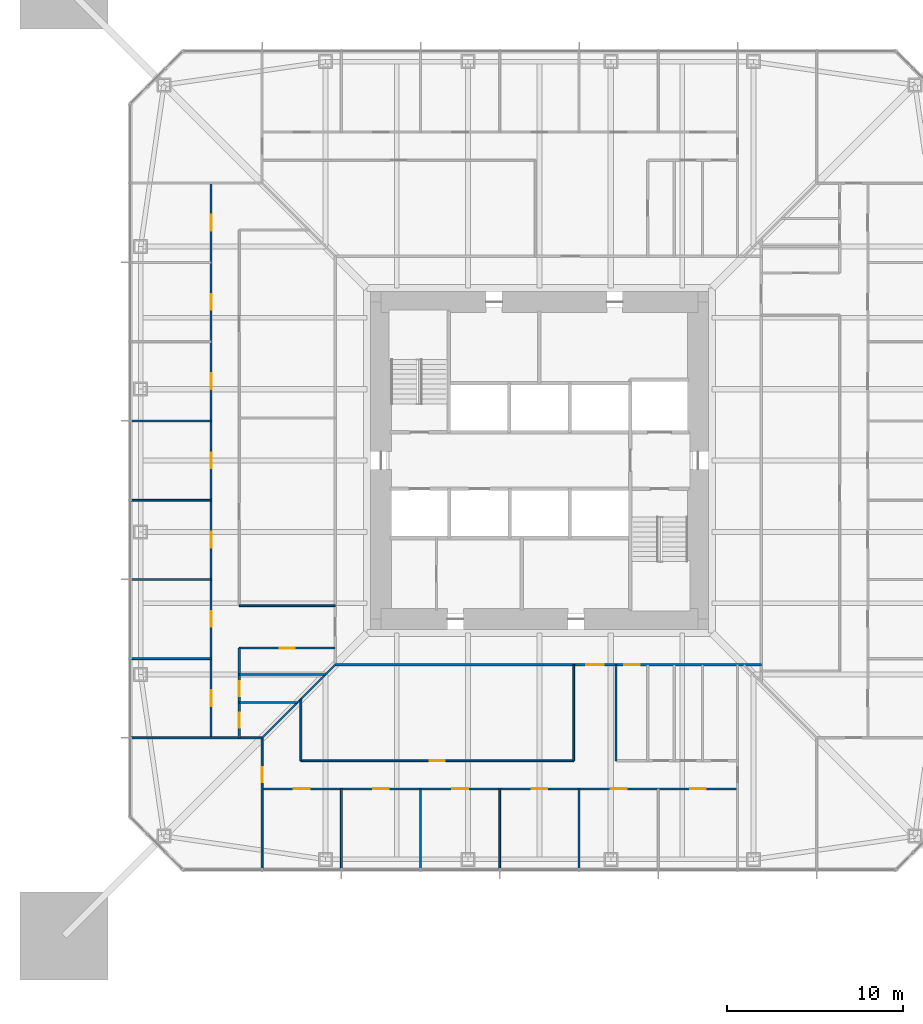
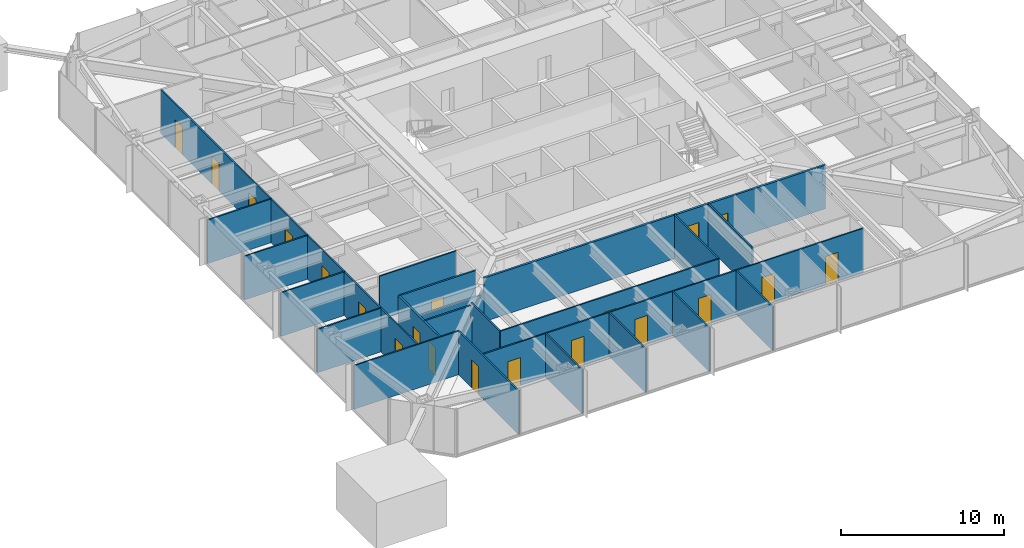
# One storey, part 14 of 26: 23 walls, 20 doors, 20 openings.
"""IFC4 building model written with IfcOpenShell, lengths in metres."""

from ifc_helpers import new_model, si_unit, direction, frame, frame_2d, origin, place, context, subcontext, project, spatial, rectangle, extrude, material, layer, layer_set, type_object, element, fill, save


model = new_model("IFC4")

# Units and contexts
model_context = context("Model", 3, precision=1e-05, world=origin(), true_north=direction((0.0, 1.0)))
body_context = subcontext(model_context, "Body", "Model", "MODEL_VIEW")
ifc_project = project(units=[si_unit("LENGTHUNIT", "METRE"), si_unit("AREAUNIT", "SQUARE_METRE"), si_unit("VOLUMEUNIT", "CUBIC_METRE"), si_unit("PLANEANGLEUNIT", "RADIAN"), si_unit("MASSUNIT", "GRAM", prefix="KILO")], contexts=[model_context])

# Site, building, storey
site_placement = place(None, origin())
site = spatial("IfcSite", under=ifc_project, at=site_placement, CompositionType="ELEMENT")
building_placement = place(site_placement, origin())
building = spatial("IfcBuilding", under=site, at=building_placement, Name="Iwan Alto Co-Living Towers", CompositionType="ELEMENT")
storey_placement = place(building_placement, frame((0.0, 0.0, 32.5)))
storey = spatial("IfcBuildingStorey", under=building, at=storey_placement, Name="L08", CompositionType="ELEMENT", Elevation=32.5)

# Wall, openings, doors
ifc_material_1 = material(Name="Gypsum board")
ifc_layer_1 = layer(ifc_material_1, 0.02490234375, Name="Board", Category="Finish")
ifc_material_2 = material(Name="Steel ASTM A1003 ST33H cold-formed studs", Category="steel")
ifc_layer_2 = layer(ifc_material_2, 0.10009765625, Name="Studs", Category="Framing")
ifc_layer_3 = layer(ifc_material_1, 0.02490234375, Name="Board", Category="Finish")
ifc_layer_set_1 = layer_set([ifc_layer_1, ifc_layer_2, ifc_layer_3], Name="CORRIDOR WALL 150")
wall_type_1 = type_object("IfcWallType", Name="CORRIDOR WALL 150", PredefinedType="PARTITIONING", material=ifc_layer_set_1)
wall_1_placement = place(storey_placement, frame((-11.60009765625, -11.60009765625, 0.0), z_axis=(0.0, 0.0, 1.0), x_axis=(1.0, 0.0, 0.0)))
wall_1 = element("IfcWall", 1, at=wall_1_placement, inside=storey, type_object=wall_type_1, Name="Partition L08", PredefinedType="PARTITIONING", context=body_context, shape_type="SweptSolid", body=[
    extrude(rectangle(XDim=24.2001953125, YDim=0.14990234375, at=frame_2d((12.10009765625, 0.0))), origin(), (0.0, 0.0, 1.0), 3.27001953125),
])
opening_1_placement = place(wall_1_placement, frame((14.25, 0.0, 0.0)))
opening_1 = element("IfcOpeningElement", 2, at=opening_1_placement, cuts=wall_1, Name="Opening D3", PredefinedType="OPENING", context=body_context, shape_type="SweptSolid", body=[
    extrude(rectangle(XDim=1.0, YDim=2.10009765625, at=frame_2d((0.5, 1.050048828125))), frame((0.0, 0.0849609375, 0.0), z_axis=(0.0, -1.0, 0.0), x_axis=(1.0, 0.0, 0.0)), (0.0, 0.0, 1.0), 0.169921875),
])
opening_2_placement = place(wall_1_placement, frame((16.39990234375, 0.0, 0.0)))
opening_2 = element("IfcOpeningElement", 3, at=opening_2_placement, cuts=wall_1, Name="Opening D8", PredefinedType="OPENING", context=body_context, shape_type="SweptSolid", body=[
    extrude(rectangle(XDim=0.89990234375, YDim=2.10009765625, at=frame_2d((0.449951171875, 1.050048828125))), frame((0.0, 0.0849609375, 0.0), z_axis=(0.0, -1.0, 0.0), x_axis=(1.0, 0.0, 0.0)), (0.0, 0.0, 1.0), 0.169921875),
])
ifc_material_3 = material(Name="Steel frame with timber leaf", Category="steel")
door_type_1 = type_object("IfcDoorType", Name="FLAT ENTRANCE DOOR FD30S 1000X2100", OperationType="SINGLE_SWING_LEFT", PredefinedType="DOOR", material=ifc_material_3)
door_1_placement = place(opening_1_placement, frame((1.0, 0.0, 0.0), z_axis=(0.0, 0.0, 1.0), x_axis=(-1.0, 0.0, 0.0)))
door_1 = element("IfcDoor", 4, at=door_1_placement, inside=storey, type_object=door_type_1, Name="Cluster lounge door L08", OperationType="SINGLE_SWING_RIGHT", OverallHeight=2.10009765625, OverallWidth=1.0, PredefinedType="DOOR", context=body_context, shape_type="SweptSolid", body=[
    extrude(rectangle(XDim=1.0, YDim=2.10009765625, at=frame_2d((0.5, 1.050048828125))), frame((0.0, 0.02490234375, 0.0), z_axis=(0.0, -1.0, 0.0), x_axis=(1.0, 0.0, 0.0)), (0.0, 0.0, 1.0), 0.050048828125),
])
fill(opening_1, door_1)
ifc_material_4 = material(Name="Steel frame with timber leaf", Category="steel")
door_type_2 = type_object("IfcDoorType", Name="RISER DOOR FD120 900X2100", OperationType="SINGLE_SWING_LEFT", PredefinedType="DOOR", material=ifc_material_4)
door_2_placement = place(opening_2_placement, frame((0.89990234375, 0.0, 0.0), z_axis=(0.0, 0.0, 1.0), x_axis=(-1.0, 0.0, 0.0)))
door_2 = element("IfcDoor", 5, at=door_2_placement, inside=storey, type_object=door_type_2, Name="Vending room door L08", OperationType="SINGLE_SWING_RIGHT", OverallHeight=2.10009765625, OverallWidth=0.89990234375, PredefinedType="DOOR", context=body_context, shape_type="SweptSolid", body=[
    extrude(rectangle(XDim=0.89990234375, YDim=2.10009765625, at=frame_2d((0.449951171875, 1.050048828125))), frame((0.0, 0.02490234375, 0.0), z_axis=(0.0, -1.0, 0.0), x_axis=(1.0, 0.0, 0.0)), (0.0, 0.0, 1.0), 0.050048828125),
])
fill(opening_2, door_2)

ifc_layer_4 = layer(ifc_material_1, 0.012451171875, Name="Board", Category="Finish")
ifc_layer_5 = layer(ifc_material_2, 0.074951171875, Name="Studs", Category="Framing")
ifc_layer_6 = layer(ifc_material_1, 0.012451171875, Name="Board", Category="Finish")
ifc_layer_set_2 = layer_set([ifc_layer_4, ifc_layer_5, ifc_layer_6], Name="PARTITION 100")
wall_type_2 = type_object("IfcWallType", Name="PARTITION 100", PredefinedType="PARTITIONING", material=ifc_layer_set_2)
wall_2_placement = place(storey_placement, frame((-15.75, -18.64990234375, 0.0), z_axis=(0.0, 0.0, 1.0), x_axis=(1.0, 0.0, 0.0)))
wall_2 = element("IfcWall", 6, at=wall_2_placement, inside=storey, type_object=wall_type_2, Name="Partition L08", PredefinedType="PARTITIONING", context=body_context, shape_type="SweptSolid", body=[
    extrude(rectangle(XDim=27.0, YDim=0.10009765625, at=frame_2d((13.5, 0.0))), origin(), (0.0, 0.0, 1.0), 3.27001953125),
])
opening_3_placement = place(wall_2_placement, frame((1.800048828125, 0.0, 0.0)))
opening_3 = element("IfcOpeningElement", 7, at=opening_3_placement, cuts=wall_2, Name="Opening D1", PredefinedType="OPENING", context=body_context, shape_type="SweptSolid", body=[
    extrude(rectangle(XDim=0.89990234375, YDim=2.10009765625, at=frame_2d((0.449951171875, 1.050048828125))), frame((0.0, 0.06005859375, 0.0), z_axis=(0.0, -1.0, 0.0), x_axis=(1.0, 0.0, 0.0)), (0.0, 0.0, 1.0), 0.1201171875),
])
opening_4_placement = place(wall_2_placement, frame((6.300048828125, 0.0, 0.0)))
opening_4 = element("IfcOpeningElement", 8, at=opening_4_placement, cuts=wall_2, Name="Opening D1", PredefinedType="OPENING", context=body_context, shape_type="SweptSolid", body=[
    extrude(rectangle(XDim=0.89990234375, YDim=2.10009765625, at=frame_2d((0.449951171875, 1.050048828125))), frame((0.0, 0.06005859375, 0.0), z_axis=(0.0, -1.0, 0.0), x_axis=(1.0, 0.0, 0.0)), (0.0, 0.0, 1.0), 0.1201171875),
])
opening_5_placement = place(wall_2_placement, frame((10.800048828125, 0.0, 0.0)))
opening_5 = element("IfcOpeningElement", 9, at=opening_5_placement, cuts=wall_2, Name="Opening D1", PredefinedType="OPENING", context=body_context, shape_type="SweptSolid", body=[
    extrude(rectangle(XDim=0.89990234375, YDim=2.10009765625, at=frame_2d((0.449951171875, 1.050048828125))), frame((0.0, 0.06005859375, 0.0), z_axis=(0.0, -1.0, 0.0), x_axis=(1.0, 0.0, 0.0)), (0.0, 0.0, 1.0), 0.1201171875),
])
opening_6_placement = place(wall_2_placement, frame((15.300048828125, 0.0, 0.0)))
opening_6 = element("IfcOpeningElement", 10, at=opening_6_placement, cuts=wall_2, Name="Opening D1", PredefinedType="OPENING", context=body_context, shape_type="SweptSolid", body=[
    extrude(rectangle(XDim=0.89990234375, YDim=2.10009765625, at=frame_2d((0.449951171875, 1.050048828125))), frame((0.0, 0.06005859375, 0.0), z_axis=(0.0, -1.0, 0.0), x_axis=(1.0, 0.0, 0.0)), (0.0, 0.0, 1.0), 0.1201171875),
])
opening_7_placement = place(wall_2_placement, frame((19.800048828125, 0.0, 0.0)))
opening_7 = element("IfcOpeningElement", 11, at=opening_7_placement, cuts=wall_2, Name="Opening D1", PredefinedType="OPENING", context=body_context, shape_type="SweptSolid", body=[
    extrude(rectangle(XDim=0.89990234375, YDim=2.10009765625, at=frame_2d((0.449951171875, 1.050048828125))), frame((0.0, 0.06005859375, 0.0), z_axis=(0.0, -1.0, 0.0), x_axis=(1.0, 0.0, 0.0)), (0.0, 0.0, 1.0), 0.1201171875),
])
opening_8_placement = place(wall_2_placement, frame((24.300048828125, 0.0, 0.0)))
opening_8 = element("IfcOpeningElement", 12, at=opening_8_placement, cuts=wall_2, Name="Opening D1", PredefinedType="OPENING", context=body_context, shape_type="SweptSolid", body=[
    extrude(rectangle(XDim=0.89990234375, YDim=2.10009765625, at=frame_2d((0.449951171875, 1.050048828125))), frame((0.0, 0.06005859375, 0.0), z_axis=(0.0, -1.0, 0.0), x_axis=(1.0, 0.0, 0.0)), (0.0, 0.0, 1.0), 0.1201171875),
])
ifc_material_5 = material(Name="Timber leaf in steel frame", Category="steel")
door_type_3 = type_object("IfcDoorType", Name="BEDROOM DOOR 900X2100", OperationType="SINGLE_SWING_LEFT", PredefinedType="DOOR", material=ifc_material_5)
door_3_placement = place(opening_3_placement, origin())
door_3 = element("IfcDoor", 13, at=door_3_placement, inside=storey, type_object=door_type_3, Name="Study bedroom door L08", OperationType="SINGLE_SWING_LEFT", OverallHeight=2.10009765625, OverallWidth=0.89990234375, PredefinedType="DOOR", context=body_context, shape_type="SweptSolid", body=[
    extrude(rectangle(XDim=0.89990234375, YDim=2.10009765625, at=frame_2d((0.449951171875, 1.050048828125))), frame((0.0, 0.02490234375, 0.0), z_axis=(0.0, -1.0, 0.0), x_axis=(1.0, 0.0, 0.0)), (0.0, 0.0, 1.0), 0.050048828125),
])
fill(opening_3, door_3)
door_4_placement = place(opening_4_placement, origin())
door_4 = element("IfcDoor", 14, at=door_4_placement, inside=storey, type_object=door_type_3, Name="Study bedroom door L08", OperationType="SINGLE_SWING_LEFT", OverallHeight=2.10009765625, OverallWidth=0.89990234375, PredefinedType="DOOR", context=body_context, shape_type="SweptSolid", body=[
    extrude(rectangle(XDim=0.89990234375, YDim=2.10009765625, at=frame_2d((0.449951171875, 1.050048828125))), frame((0.0, 0.02490234375, 0.0), z_axis=(0.0, -1.0, 0.0), x_axis=(1.0, 0.0, 0.0)), (0.0, 0.0, 1.0), 0.050048828125),
])
fill(opening_4, door_4)
door_5_placement = place(opening_5_placement, origin())
door_5 = element("IfcDoor", 15, at=door_5_placement, inside=storey, type_object=door_type_3, Name="Study bedroom door L08", OperationType="SINGLE_SWING_LEFT", OverallHeight=2.10009765625, OverallWidth=0.89990234375, PredefinedType="DOOR", context=body_context, shape_type="SweptSolid", body=[
    extrude(rectangle(XDim=0.89990234375, YDim=2.10009765625, at=frame_2d((0.449951171875, 1.050048828125))), frame((0.0, 0.02490234375, 0.0), z_axis=(0.0, -1.0, 0.0), x_axis=(1.0, 0.0, 0.0)), (0.0, 0.0, 1.0), 0.050048828125),
])
fill(opening_5, door_5)
door_6_placement = place(opening_6_placement, origin())
door_6 = element("IfcDoor", 16, at=door_6_placement, inside=storey, type_object=door_type_3, Name="Study bedroom door L08", OperationType="SINGLE_SWING_RIGHT", OverallHeight=2.10009765625, OverallWidth=0.89990234375, PredefinedType="DOOR", context=body_context, shape_type="SweptSolid", body=[
    extrude(rectangle(XDim=0.89990234375, YDim=2.10009765625, at=frame_2d((0.449951171875, 1.050048828125))), frame((0.0, 0.02490234375, 0.0), z_axis=(0.0, -1.0, 0.0), x_axis=(1.0, 0.0, 0.0)), (0.0, 0.0, 1.0), 0.050048828125),
])
fill(opening_6, door_6)
door_7_placement = place(opening_7_placement, origin())
door_7 = element("IfcDoor", 17, at=door_7_placement, inside=storey, type_object=door_type_3, Name="Study bedroom door L08", OperationType="SINGLE_SWING_RIGHT", OverallHeight=2.10009765625, OverallWidth=0.89990234375, PredefinedType="DOOR", context=body_context, shape_type="SweptSolid", body=[
    extrude(rectangle(XDim=0.89990234375, YDim=2.10009765625, at=frame_2d((0.449951171875, 1.050048828125))), frame((0.0, 0.02490234375, 0.0), z_axis=(0.0, -1.0, 0.0), x_axis=(1.0, 0.0, 0.0)), (0.0, 0.0, 1.0), 0.050048828125),
])
fill(opening_7, door_7)
door_8_placement = place(opening_8_placement, origin())
door_8 = element("IfcDoor", 18, at=door_8_placement, inside=storey, type_object=door_type_3, Name="Study bedroom door L08", OperationType="SINGLE_SWING_RIGHT", OverallHeight=2.10009765625, OverallWidth=0.89990234375, PredefinedType="DOOR", context=body_context, shape_type="SweptSolid", body=[
    extrude(rectangle(XDim=0.89990234375, YDim=2.10009765625, at=frame_2d((0.449951171875, 1.050048828125))), frame((0.0, 0.02490234375, 0.0), z_axis=(0.0, -1.0, 0.0), x_axis=(1.0, 0.0, 0.0)), (0.0, 0.0, 1.0), 0.050048828125),
])
fill(opening_8, door_8)

# Wall, opening, door
wall_3_placement = place(storey_placement, frame((-13.550048828125, -17.050048828125, 0.0), z_axis=(0.0, 0.0, 1.0), x_axis=(1.0, 0.0, 0.0)))
wall_3 = element("IfcWall", 19, at=wall_3_placement, inside=storey, type_object=wall_type_2, Name="Partition L08", PredefinedType="PARTITIONING", context=body_context, shape_type="SweptSolid", body=[
    extrude(rectangle(XDim=15.5, YDim=0.10009765625, at=frame_2d((7.75, 0.0))), origin(), (0.0, 0.0, 1.0), 3.27001953125),
])
opening_9_placement = place(wall_3_placement, frame((7.324951171875, 0.0, 0.0)))
opening_9 = element("IfcOpeningElement", 20, at=opening_9_placement, cuts=wall_3, Name="Opening D2", PredefinedType="OPENING", context=body_context, shape_type="SweptSolid", body=[
    extrude(rectangle(XDim=0.85009765625, YDim=2.10009765625, at=frame_2d((0.425048828125, 1.050048828125))), frame((0.0, 0.06005859375, 0.0), z_axis=(0.0, -1.0, 0.0), x_axis=(1.0, 0.0, 0.0)), (0.0, 0.0, 1.0), 0.1201171875),
])
ifc_material_6 = material(Name="Timber leaf in steel frame", Category="steel")
door_type_4 = type_object("IfcDoorType", Name="ROOM DOOR 850X2100", OperationType="SINGLE_SWING_LEFT", PredefinedType="DOOR", material=ifc_material_6)
door_9_placement = place(opening_9_placement, origin())
door_9 = element("IfcDoor", 21, at=door_9_placement, inside=storey, type_object=door_type_4, Name="Study lounge door L08", OperationType="SINGLE_SWING_LEFT", OverallHeight=2.10009765625, OverallWidth=0.85009765625, PredefinedType="DOOR", context=body_context, shape_type="SweptSolid", body=[
    extrude(rectangle(XDim=0.85009765625, YDim=2.10009765625, at=frame_2d((0.425048828125, 1.050048828125))), frame((0.0, 0.02490234375, 0.0), z_axis=(0.0, -1.0, 0.0), x_axis=(1.0, 0.0, 0.0)), (0.0, 0.0, 1.0), 0.050048828125),
])
fill(opening_9, door_9)

# Walls
wall_4_placement = place(storey_placement, frame((-23.18994140625, -15.75, 0.0), z_axis=(0.0, 0.0, 1.0), x_axis=(1.0, 0.0, 0.0)))
element("IfcWall", 22, at=wall_4_placement, inside=storey, type_object=wall_type_2, Name="Partition L08", PredefinedType="PARTITIONING", context=body_context, shape_type="SweptSolid", body=[
    extrude(rectangle(XDim=7.43994140625, YDim=0.10009765625, at=frame_2d((3.719970703125, 0.0))), origin(), (0.0, 0.0, 1.0), 3.27001953125),
])
wall_5_placement = place(storey_placement, frame((-23.18994140625, -11.25, 0.0), z_axis=(0.0, 0.0, 1.0), x_axis=(1.0, 0.0, 0.0)))
element("IfcWall", 23, at=wall_5_placement, inside=storey, type_object=wall_type_2, Name="Partition L08", PredefinedType="PARTITIONING", context=body_context, shape_type="SweptSolid", body=[
    extrude(rectangle(XDim=4.5400390625, YDim=0.10009765625, at=frame_2d((2.27001953125, 0.0))), origin(), (0.0, 0.0, 1.0), 3.27001953125),
])
wall_6_placement = place(storey_placement, frame((-17.050048828125, -8.25, 0.0), z_axis=(0.0, 0.0, 1.0), x_axis=(1.0, 0.0, 0.0)))
element("IfcWall", 24, at=wall_6_placement, inside=storey, type_object=wall_type_2, Name="Partition L08", PredefinedType="PARTITIONING", context=body_context, shape_type="SweptSolid", body=[
    extrude(rectangle(XDim=5.449951171875, YDim=0.10009765625, at=frame_2d((2.72509765625, 0.0))), origin(), (0.0, 0.0, 1.0), 3.27001953125),
])
for number, where, z_axis, x_axis, name in (
    (25, (-23.18994140625, -6.75, 0.0), (0.0, 0.0, 1.0), (1.0, 0.0, 0.0), "Partition L08"),
    (26, (-23.18994140625, -2.25, 0.0), (0.0, 0.0, 1.0), (1.0, 0.0, 0.0), "Partition L08"),
    (27, (-23.18994140625, 2.25, 0.0), (0.0, 0.0, 1.0), (1.0, 0.0, 0.0), "Partition L08"),
):
    element("IfcWall", number, at=place(storey_placement, frame(where, z_axis=z_axis, x_axis=x_axis)), inside=storey, type_object=wall_type_2, Name=name, PredefinedType="PARTITIONING", context=body_context, shape_type="SweptSolid", body=[
        extrude(rectangle(XDim=4.5400390625, YDim=0.10009765625, at=frame_2d((2.27001953125, 0.0))), origin(), (0.0, 0.0, 1.0), 3.27001953125),
    ])
wall_7_placement = place(storey_placement, frame((4.35009765625, -17.050048828125, 0.0), z_axis=(0.0, 0.0, 1.0), x_axis=(0.0, 1.0, 0.0)))
element("IfcWall", 28, at=wall_7_placement, inside=storey, type_object=wall_type_2, Name="Partition L08", PredefinedType="PARTITIONING", context=body_context, shape_type="SweptSolid", body=[
    extrude(rectangle(XDim=5.449951171875, YDim=0.10009765625, at=frame_2d((2.72509765625, 0.0))), origin(), (0.0, 0.0, 1.0), 3.27001953125),
])
wall_8_placement = place(storey_placement, frame((2.25, -23.18994140625, 0.0), z_axis=(0.0, 0.0, 1.0), x_axis=(0.0, 1.0, 0.0)))
element("IfcWall", 29, at=wall_8_placement, inside=storey, type_object=wall_type_2, Name="Partition L08", PredefinedType="PARTITIONING", context=body_context, shape_type="SweptSolid", body=[
    extrude(rectangle(XDim=4.5400390625, YDim=0.10009765625, at=frame_2d((2.27001953125, 0.0))), origin(), (0.0, 0.0, 1.0), 3.27001953125),
])
wall_9_placement = place(storey_placement, frame((1.949951171875, -17.050048828125, 0.0), z_axis=(0.0, 0.0, 1.0), x_axis=(0.0, 1.0, 0.0)))
element("IfcWall", 30, at=wall_9_placement, inside=storey, type_object=wall_type_2, Name="Partition L08", PredefinedType="PARTITIONING", context=body_context, shape_type="SweptSolid", body=[
    extrude(rectangle(XDim=5.449951171875, YDim=0.10009765625, at=frame_2d((2.72509765625, 0.0))), origin(), (0.0, 0.0, 1.0), 3.27001953125),
])
for number, where, z_axis, x_axis, name in (
    (31, (-2.25, -23.18994140625, 0.0), (0.0, 0.0, 1.0), (0.0, 1.0, 0.0), "Partition L08"),
    (32, (-6.75, -23.18994140625, 0.0), (0.0, 0.0, 1.0), (0.0, 1.0, 0.0), "Partition L08"),
    (33, (-11.25, -23.18994140625, 0.0), (0.0, 0.0, 1.0), (0.0, 1.0, 0.0), "Partition L08"),
):
    element("IfcWall", number, at=place(storey_placement, frame(where, z_axis=z_axis, x_axis=x_axis)), inside=storey, type_object=wall_type_2, Name=name, PredefinedType="PARTITIONING", context=body_context, shape_type="SweptSolid", body=[
        extrude(rectangle(XDim=4.5400390625, YDim=0.10009765625, at=frame_2d((2.27001953125, 0.0))), origin(), (0.0, 0.0, 1.0), 3.27001953125),
    ])
wall_10_placement = place(storey_placement, frame((-13.550048828125, -17.050048828125, 0.0), z_axis=(0.0, 0.0, 1.0), x_axis=(0.0, 1.0, 0.0)))
element("IfcWall", 34, at=wall_10_placement, inside=storey, type_object=wall_type_2, Name="Partition L08", PredefinedType="PARTITIONING", context=body_context, shape_type="SweptSolid", body=[
    extrude(rectangle(XDim=3.5, YDim=0.10009765625, at=frame_2d((1.75, 0.0))), origin(), (0.0, 0.0, 1.0), 3.27001953125),
])

# Wall, opening, door
wall_11_placement = place(storey_placement, frame((-15.75, -23.18994140625, 0.0), z_axis=(0.0, 0.0, 1.0), x_axis=(0.0, 1.0, 0.0)))
wall_11 = element("IfcWall", 35, at=wall_11_placement, inside=storey, type_object=wall_type_2, Name="Partition L08", PredefinedType="PARTITIONING", context=body_context, shape_type="SweptSolid", body=[
    extrude(rectangle(XDim=7.43994140625, YDim=0.10009765625, at=frame_2d((3.719970703125, 0.0))), origin(), (0.0, 0.0, 1.0), 3.27001953125),
])
opening_10_placement = place(wall_11_placement, frame((4.9150390625, 0.0, 0.0)))
opening_10 = element("IfcOpeningElement", 36, at=opening_10_placement, cuts=wall_11, Name="Opening D2", PredefinedType="OPENING", context=body_context, shape_type="SweptSolid", body=[
    extrude(rectangle(XDim=0.85009765625, YDim=2.10009765625, at=frame_2d((0.425048828125, 1.050048828125))), frame((0.0, 0.06005859375, 0.0), z_axis=(0.0, -1.0, 0.0), x_axis=(1.0, 0.0, 0.0)), (0.0, 0.0, 1.0), 0.1201171875),
])
door_10_placement = place(opening_10_placement, frame((0.85009765625, 0.0, 0.0), z_axis=(0.0, 0.0, 1.0), x_axis=(-1.0, 0.0, 0.0)))
door_10 = element("IfcDoor", 37, at=door_10_placement, inside=storey, type_object=door_type_4, Name="Shared kitchen and dining room door L08", OperationType="SINGLE_SWING_RIGHT", OverallHeight=2.10009765625, OverallWidth=0.85009765625, PredefinedType="DOOR", context=body_context, shape_type="SweptSolid", body=[
    extrude(rectangle(XDim=0.85009765625, YDim=2.10009765625, at=frame_2d((0.425048828125, 1.050048828125))), frame((0.0, 0.02490234375, 0.0), z_axis=(0.0, -1.0, 0.0), x_axis=(1.0, 0.0, 0.0)), (0.0, 0.0, 1.0), 0.050048828125),
])
fill(opening_10, door_10)

# Wall, openings, doors
wall_12_placement = place(storey_placement, frame((-18.64990234375, -15.75, 0.0), z_axis=(0.0, 0.0, 1.0), x_axis=(0.0, 1.0, 0.0)))
wall_12 = element("IfcWall", 38, at=wall_12_placement, inside=storey, type_object=wall_type_2, Name="Partition L08", PredefinedType="PARTITIONING", context=body_context, shape_type="SweptSolid", body=[
    extrude(rectangle(XDim=31.5, YDim=0.10009765625, at=frame_2d((15.75, 0.0))), origin(), (0.0, 0.0, 1.0), 3.27001953125),
])
opening_11_placement = place(wall_12_placement, frame((28.800048828125, 0.0, 0.0)))
opening_11 = element("IfcOpeningElement", 39, at=opening_11_placement, cuts=wall_12, Name="Opening D1", PredefinedType="OPENING", context=body_context, shape_type="SweptSolid", body=[
    extrude(rectangle(XDim=0.89990234375, YDim=2.10009765625, at=frame_2d((0.449951171875, 1.050048828125))), frame((0.0, 0.06005859375, 0.0), z_axis=(0.0, -1.0, 0.0), x_axis=(1.0, 0.0, 0.0)), (0.0, 0.0, 1.0), 0.1201171875),
])
opening_12_placement = place(wall_12_placement, frame((24.300048828125, 0.0, 0.0)))
opening_12 = element("IfcOpeningElement", 40, at=opening_12_placement, cuts=wall_12, Name="Opening D1", PredefinedType="OPENING", context=body_context, shape_type="SweptSolid", body=[
    extrude(rectangle(XDim=0.89990234375, YDim=2.10009765625, at=frame_2d((0.449951171875, 1.050048828125))), frame((0.0, 0.06005859375, 0.0), z_axis=(0.0, -1.0, 0.0), x_axis=(1.0, 0.0, 0.0)), (0.0, 0.0, 1.0), 0.1201171875),
])
opening_13_placement = place(wall_12_placement, frame((19.800048828125, 0.0, 0.0)))
opening_13 = element("IfcOpeningElement", 41, at=opening_13_placement, cuts=wall_12, Name="Opening D1", PredefinedType="OPENING", context=body_context, shape_type="SweptSolid", body=[
    extrude(rectangle(XDim=0.89990234375, YDim=2.10009765625, at=frame_2d((0.449951171875, 1.050048828125))), frame((0.0, 0.06005859375, 0.0), z_axis=(0.0, -1.0, 0.0), x_axis=(1.0, 0.0, 0.0)), (0.0, 0.0, 1.0), 0.1201171875),
])
opening_14_placement = place(wall_12_placement, frame((15.300048828125, 0.0, 0.0)))
opening_14 = element("IfcOpeningElement", 42, at=opening_14_placement, cuts=wall_12, Name="Opening D1", PredefinedType="OPENING", context=body_context, shape_type="SweptSolid", body=[
    extrude(rectangle(XDim=0.89990234375, YDim=2.10009765625, at=frame_2d((0.449951171875, 1.050048828125))), frame((0.0, 0.06005859375, 0.0), z_axis=(0.0, -1.0, 0.0), x_axis=(1.0, 0.0, 0.0)), (0.0, 0.0, 1.0), 0.1201171875),
])
opening_15_placement = place(wall_12_placement, frame((10.800048828125, 0.0, 0.0)))
opening_15 = element("IfcOpeningElement", 43, at=opening_15_placement, cuts=wall_12, Name="Opening D1", PredefinedType="OPENING", context=body_context, shape_type="SweptSolid", body=[
    extrude(rectangle(XDim=0.89990234375, YDim=2.10009765625, at=frame_2d((0.449951171875, 1.050048828125))), frame((0.0, 0.06005859375, 0.0), z_axis=(0.0, -1.0, 0.0), x_axis=(1.0, 0.0, 0.0)), (0.0, 0.0, 1.0), 0.1201171875),
])
opening_16_placement = place(wall_12_placement, frame((6.300048828125, 0.0, 0.0)))
opening_16 = element("IfcOpeningElement", 44, at=opening_16_placement, cuts=wall_12, Name="Opening D1", PredefinedType="OPENING", context=body_context, shape_type="SweptSolid", body=[
    extrude(rectangle(XDim=0.89990234375, YDim=2.10009765625, at=frame_2d((0.449951171875, 1.050048828125))), frame((0.0, 0.06005859375, 0.0), z_axis=(0.0, -1.0, 0.0), x_axis=(1.0, 0.0, 0.0)), (0.0, 0.0, 1.0), 0.1201171875),
])
opening_17_placement = place(wall_12_placement, frame((1.800048828125, 0.0, 0.0)))
opening_17 = element("IfcOpeningElement", 45, at=opening_17_placement, cuts=wall_12, Name="Opening D1", PredefinedType="OPENING", context=body_context, shape_type="SweptSolid", body=[
    extrude(rectangle(XDim=0.89990234375, YDim=2.10009765625, at=frame_2d((0.449951171875, 1.050048828125))), frame((0.0, 0.06005859375, 0.0), z_axis=(0.0, -1.0, 0.0), x_axis=(1.0, 0.0, 0.0)), (0.0, 0.0, 1.0), 0.1201171875),
])
door_11_placement = place(opening_11_placement, frame((0.89990234375, 0.0, 0.0), z_axis=(0.0, 0.0, 1.0), x_axis=(-1.0, 0.0, 0.0)))
door_11 = element("IfcDoor", 46, at=door_11_placement, inside=storey, type_object=door_type_3, Name="Study bedroom door L08", OperationType="SINGLE_SWING_LEFT", OverallHeight=2.10009765625, OverallWidth=0.89990234375, PredefinedType="DOOR", context=body_context, shape_type="SweptSolid", body=[
    extrude(rectangle(XDim=0.89990234375, YDim=2.10009765625, at=frame_2d((0.449951171875, 1.050048828125))), frame((0.0, 0.02490234375, 0.0), z_axis=(0.0, -1.0, 0.0), x_axis=(1.0, 0.0, 0.0)), (0.0, 0.0, 1.0), 0.050048828125),
])
fill(opening_11, door_11)
door_12_placement = place(opening_12_placement, frame((0.89990234375, 0.0, 0.0), z_axis=(0.0, 0.0, 1.0), x_axis=(-1.0, 0.0, 0.0)))
door_12 = element("IfcDoor", 47, at=door_12_placement, inside=storey, type_object=door_type_3, Name="Study bedroom door L08", OperationType="SINGLE_SWING_LEFT", OverallHeight=2.10009765625, OverallWidth=0.89990234375, PredefinedType="DOOR", context=body_context, shape_type="SweptSolid", body=[
    extrude(rectangle(XDim=0.89990234375, YDim=2.10009765625, at=frame_2d((0.449951171875, 1.050048828125))), frame((0.0, 0.02490234375, 0.0), z_axis=(0.0, -1.0, 0.0), x_axis=(1.0, 0.0, 0.0)), (0.0, 0.0, 1.0), 0.050048828125),
])
fill(opening_12, door_12)
door_13_placement = place(opening_13_placement, frame((0.89990234375, 0.0, 0.0), z_axis=(0.0, 0.0, 1.0), x_axis=(-1.0, 0.0, 0.0)))
door_13 = element("IfcDoor", 48, at=door_13_placement, inside=storey, type_object=door_type_3, Name="Study bedroom door L08", OperationType="SINGLE_SWING_LEFT", OverallHeight=2.10009765625, OverallWidth=0.89990234375, PredefinedType="DOOR", context=body_context, shape_type="SweptSolid", body=[
    extrude(rectangle(XDim=0.89990234375, YDim=2.10009765625, at=frame_2d((0.449951171875, 1.050048828125))), frame((0.0, 0.02490234375, 0.0), z_axis=(0.0, -1.0, 0.0), x_axis=(1.0, 0.0, 0.0)), (0.0, 0.0, 1.0), 0.050048828125),
])
fill(opening_13, door_13)
door_14_placement = place(opening_14_placement, frame((0.89990234375, 0.0, 0.0), z_axis=(0.0, 0.0, 1.0), x_axis=(-1.0, 0.0, 0.0)))
door_14 = element("IfcDoor", 49, at=door_14_placement, inside=storey, type_object=door_type_3, Name="Study bedroom door L08", OperationType="SINGLE_SWING_RIGHT", OverallHeight=2.10009765625, OverallWidth=0.89990234375, PredefinedType="DOOR", context=body_context, shape_type="SweptSolid", body=[
    extrude(rectangle(XDim=0.89990234375, YDim=2.10009765625, at=frame_2d((0.449951171875, 1.050048828125))), frame((0.0, 0.02490234375, 0.0), z_axis=(0.0, -1.0, 0.0), x_axis=(1.0, 0.0, 0.0)), (0.0, 0.0, 1.0), 0.050048828125),
])
fill(opening_14, door_14)
door_15_placement = place(opening_15_placement, frame((0.89990234375, 0.0, 0.0), z_axis=(0.0, 0.0, 1.0), x_axis=(-1.0, 0.0, 0.0)))
door_15 = element("IfcDoor", 50, at=door_15_placement, inside=storey, type_object=door_type_3, Name="Study bedroom door L08", OperationType="SINGLE_SWING_RIGHT", OverallHeight=2.10009765625, OverallWidth=0.89990234375, PredefinedType="DOOR", context=body_context, shape_type="SweptSolid", body=[
    extrude(rectangle(XDim=0.89990234375, YDim=2.10009765625, at=frame_2d((0.449951171875, 1.050048828125))), frame((0.0, 0.02490234375, 0.0), z_axis=(0.0, -1.0, 0.0), x_axis=(1.0, 0.0, 0.0)), (0.0, 0.0, 1.0), 0.050048828125),
])
fill(opening_15, door_15)
door_16_placement = place(opening_16_placement, frame((0.89990234375, 0.0, 0.0), z_axis=(0.0, 0.0, 1.0), x_axis=(-1.0, 0.0, 0.0)))
door_16 = element("IfcDoor", 51, at=door_16_placement, inside=storey, type_object=door_type_3, Name="Study bedroom door L08", OperationType="SINGLE_SWING_RIGHT", OverallHeight=2.10009765625, OverallWidth=0.89990234375, PredefinedType="DOOR", context=body_context, shape_type="SweptSolid", body=[
    extrude(rectangle(XDim=0.89990234375, YDim=2.10009765625, at=frame_2d((0.449951171875, 1.050048828125))), frame((0.0, 0.02490234375, 0.0), z_axis=(0.0, -1.0, 0.0), x_axis=(1.0, 0.0, 0.0)), (0.0, 0.0, 1.0), 0.050048828125),
])
fill(opening_16, door_16)
door_17_placement = place(opening_17_placement, frame((0.89990234375, 0.0, 0.0), z_axis=(0.0, 0.0, 1.0), x_axis=(-1.0, 0.0, 0.0)))
door_17 = element("IfcDoor", 52, at=door_17_placement, inside=storey, type_object=door_type_3, Name="Study bedroom door L08", OperationType="SINGLE_SWING_RIGHT", OverallHeight=2.10009765625, OverallWidth=0.89990234375, PredefinedType="DOOR", context=body_context, shape_type="SweptSolid", body=[
    extrude(rectangle(XDim=0.89990234375, YDim=2.10009765625, at=frame_2d((0.449951171875, 1.050048828125))), frame((0.0, 0.02490234375, 0.0), z_axis=(0.0, -1.0, 0.0), x_axis=(1.0, 0.0, 0.0)), (0.0, 0.0, 1.0), 0.050048828125),
])
fill(opening_17, door_17)

# Walls
ifc_material_7 = material(Name="Cement board")
ifc_layer_7 = layer(ifc_material_7, 0.012451171875, Name="Board", Category="Finish")
ifc_layer_8 = layer(ifc_material_2, 0.094970703125, Name="Studs", Category="Framing")
ifc_layer_9 = layer(ifc_material_7, 0.012451171875, Name="Board", Category="Finish")
ifc_layer_set_3 = layer_set([ifc_layer_7, ifc_layer_8, ifc_layer_9], Name="WET AREA PARTITION 120")
wall_type_3 = type_object("IfcWallType", Name="WET AREA PARTITION 120", PredefinedType="PARTITIONING", material=ifc_layer_set_3)
wall_13_placement = place(storey_placement, frame((-17.050048828125, -13.75, 0.0), z_axis=(0.0, 0.0, 1.0), x_axis=(1.0, 0.0, 0.0)))
element("IfcWall", 53, at=wall_13_placement, inside=storey, type_object=wall_type_3, Name="Partition L08", PredefinedType="PARTITIONING", context=body_context, shape_type="SweptSolid", body=[
    extrude(rectangle(XDim=3.300048828125, YDim=0.1201171875, at=frame_2d((1.64990234375, 0.0))), origin(), (0.0, 0.0, 1.0), 3.27001953125),
])
wall_14_placement = place(storey_placement, frame((-17.050048828125, -12.14990234375, 0.0), z_axis=(0.0, 0.0, 1.0), x_axis=(1.0, 0.0, 0.0)))
element("IfcWall", 54, at=wall_14_placement, inside=storey, type_object=wall_type_3, Name="Partition L08", PredefinedType="PARTITIONING", context=body_context, shape_type="SweptSolid", body=[
    extrude(rectangle(XDim=4.900146484375, YDim=0.1201171875, at=frame_2d((2.4501953125, 0.0))), origin(), (0.0, 0.0, 1.0), 2.508056640625),
])

# Wall, opening, door
wall_15_placement = place(storey_placement, frame((-17.050048828125, -10.64990234375, 0.0), z_axis=(0.0, 0.0, 1.0), x_axis=(1.0, 0.0, 0.0)))
wall_15 = element("IfcWall", 55, at=wall_15_placement, inside=storey, type_object=wall_type_3, Name="Partition L08", PredefinedType="PARTITIONING", context=body_context, shape_type="SweptSolid", body=[
    extrude(rectangle(XDim=5.449951171875, YDim=0.1201171875, at=frame_2d((2.72509765625, 0.0))), origin(), (0.0, 0.0, 1.0), 3.27001953125),
])
opening_18_placement = place(wall_15_placement, frame((2.300048828125, 0.0, 0.0)))
opening_18 = element("IfcOpeningElement", 56, at=opening_18_placement, cuts=wall_15, Name="Opening D2", PredefinedType="OPENING", context=body_context, shape_type="SweptSolid", body=[
    extrude(rectangle(XDim=0.85009765625, YDim=2.10009765625, at=frame_2d((0.425048828125, 1.050048828125))), frame((0.0, 0.070068359375, 0.0), z_axis=(0.0, -1.0, 0.0), x_axis=(1.0, 0.0, 0.0)), (0.0, 0.0, 1.0), 0.14013671875),
])
door_18_placement = place(opening_18_placement, origin())
door_18 = element("IfcDoor", 57, at=door_18_placement, inside=storey, type_object=door_type_4, Name="Bathroom door L08", OperationType="SINGLE_SWING_RIGHT", OverallHeight=2.10009765625, OverallWidth=0.85009765625, PredefinedType="DOOR", context=body_context, shape_type="SweptSolid", body=[
    extrude(rectangle(XDim=0.85009765625, YDim=2.10009765625, at=frame_2d((0.425048828125, 1.050048828125))), frame((0.0, 0.02490234375, 0.0), z_axis=(0.0, -1.0, 0.0), x_axis=(1.0, 0.0, 0.0)), (0.0, 0.0, 1.0), 0.050048828125),
])
fill(opening_18, door_18)

# Wall
wall_16_placement = place(storey_placement, frame((-15.75, -15.75, 0.0), z_axis=(0.0, 0.0, 1.0), x_axis=(0.707106781187, 0.707106781187, 0.0)))
element("IfcWall", 58, at=wall_16_placement, inside=storey, type_object=wall_type_3, Name="Partition L08", PredefinedType="PARTITIONING", context=body_context, shape_type="SweptSolid", body=[
    extrude(rectangle(XDim=5.868896484375, YDim=0.1201171875, at=frame_2d((2.9345703125, 0.0))), origin(), (0.0, 0.0, 1.0), 2.343017578125),
])

# Wall, openings, doors
wall_17_placement = place(storey_placement, frame((-17.050048828125, -15.75, 0.0), z_axis=(0.0, 0.0, 1.0), x_axis=(0.0, 1.0, 0.0)))
wall_17 = element("IfcWall", 59, at=wall_17_placement, inside=storey, type_object=wall_type_3, Name="Partition L08", PredefinedType="PARTITIONING", context=body_context, shape_type="SweptSolid", body=[
    extrude(rectangle(XDim=5.10009765625, YDim=0.1201171875, at=frame_2d((2.550048828125, 0.0))), origin(), (0.0, 0.0, 1.0), 3.27001953125),
])
opening_19_placement = place(wall_17_placement, frame((2.375, 0.0, 0.0)))
opening_19 = element("IfcOpeningElement", 60, at=opening_19_placement, cuts=wall_17, Name="Opening D2", PredefinedType="OPENING", context=body_context, shape_type="SweptSolid", body=[
    extrude(rectangle(XDim=0.85009765625, YDim=2.10009765625, at=frame_2d((0.425048828125, 1.050048828125))), frame((0.0, 0.070068359375, 0.0), z_axis=(0.0, -1.0, 0.0), x_axis=(1.0, 0.0, 0.0)), (0.0, 0.0, 1.0), 0.14013671875),
])
opening_20_placement = place(wall_17_placement, frame((0.574951171875, 0.0, 0.0)))
opening_20 = element("IfcOpeningElement", 61, at=opening_20_placement, cuts=wall_17, Name="Opening D2", PredefinedType="OPENING", context=body_context, shape_type="SweptSolid", body=[
    extrude(rectangle(XDim=0.85009765625, YDim=2.10009765625, at=frame_2d((0.425048828125, 1.050048828125))), frame((0.0, 0.070068359375, 0.0), z_axis=(0.0, -1.0, 0.0), x_axis=(1.0, 0.0, 0.0)), (0.0, 0.0, 1.0), 0.14013671875),
])
door_19_placement = place(opening_19_placement, origin())
door_19 = element("IfcDoor", 62, at=door_19_placement, inside=storey, type_object=door_type_4, Name="Accessible bathroom door L08", OperationType="SINGLE_SWING_LEFT", OverallHeight=2.10009765625, OverallWidth=0.85009765625, PredefinedType="DOOR", context=body_context, shape_type="SweptSolid", body=[
    extrude(rectangle(XDim=0.85009765625, YDim=2.10009765625, at=frame_2d((0.425048828125, 1.050048828125))), frame((0.0, 0.02490234375, 0.0), z_axis=(0.0, -1.0, 0.0), x_axis=(1.0, 0.0, 0.0)), (0.0, 0.0, 1.0), 0.050048828125),
])
fill(opening_19, door_19)
door_20_placement = place(opening_20_placement, origin())
door_20 = element("IfcDoor", 63, at=door_20_placement, inside=storey, type_object=door_type_4, Name="Laundry door L08", OperationType="SINGLE_SWING_LEFT", OverallHeight=2.10009765625, OverallWidth=0.85009765625, PredefinedType="DOOR", context=body_context, shape_type="SweptSolid", body=[
    extrude(rectangle(XDim=0.85009765625, YDim=2.10009765625, at=frame_2d((0.425048828125, 1.050048828125))), frame((0.0, 0.02490234375, 0.0), z_axis=(0.0, -1.0, 0.0), x_axis=(1.0, 0.0, 0.0)), (0.0, 0.0, 1.0), 0.050048828125),
])
fill(opening_20, door_20)

save(model, "model.ifc")
